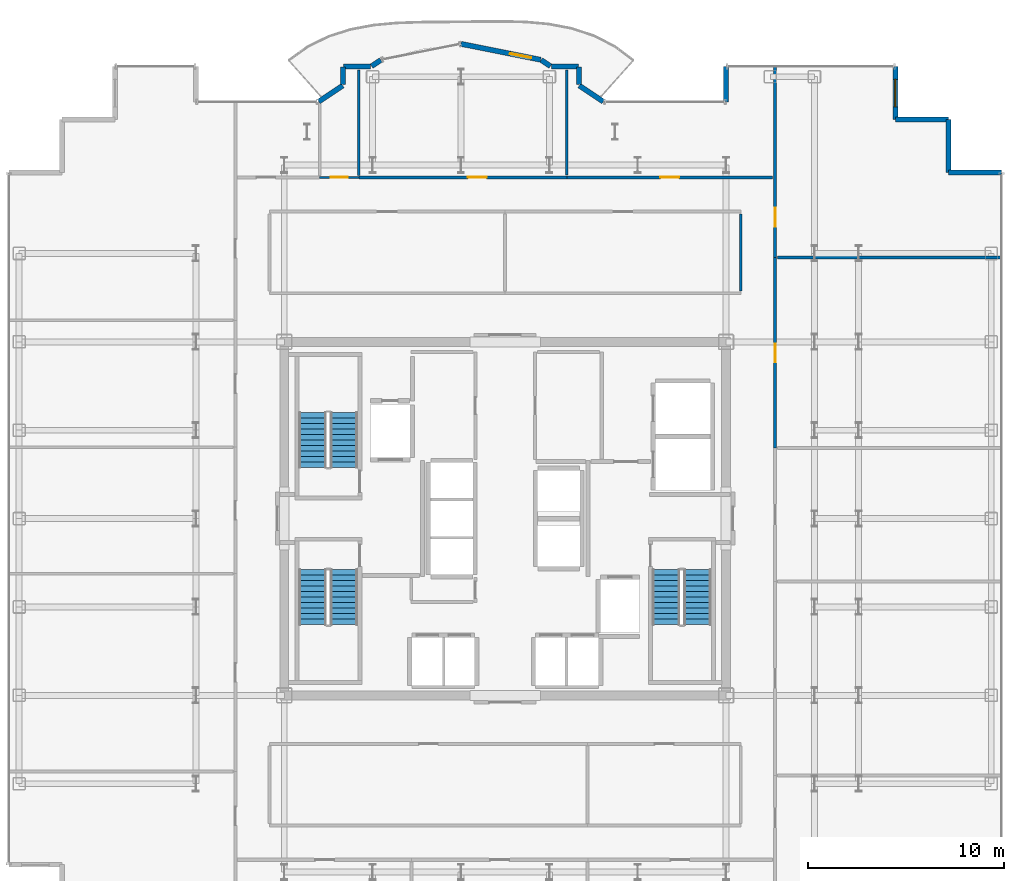
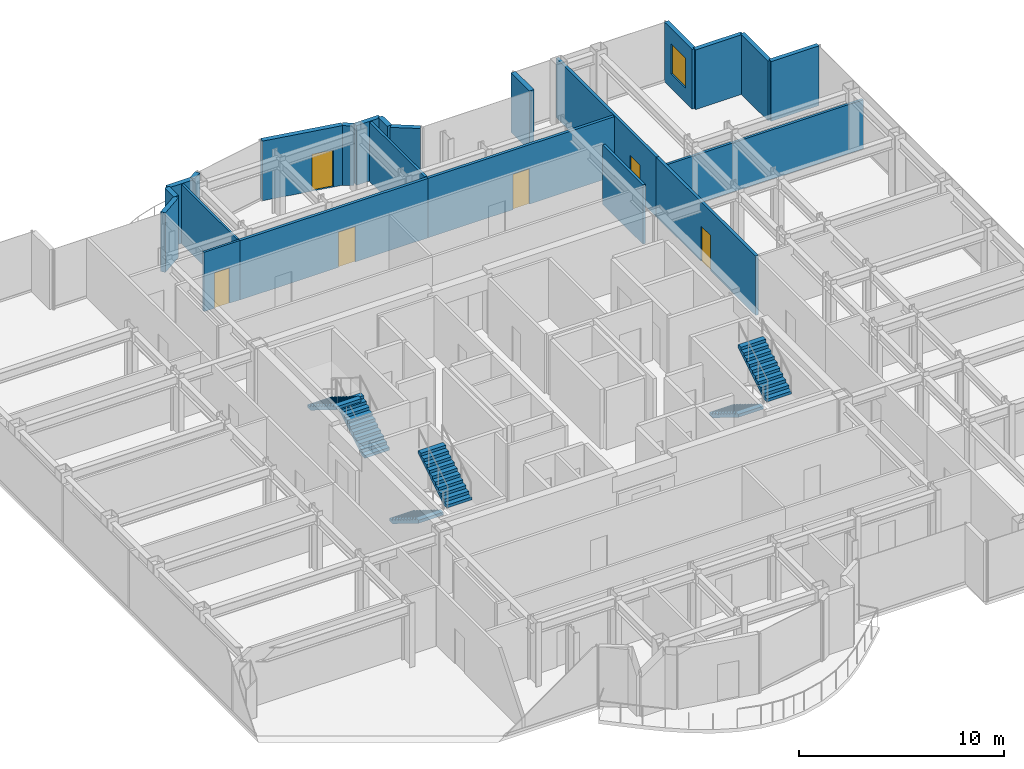
# One storey, part 18 of 20: 23 walls, 6 doors, 6 stair flights, 1 window, 7 openings, 3 elements without a shape of their own.
"""IFC4 building model written with IfcOpenShell, lengths in metres."""

from ifc_helpers import new_model, si_unit, direction, frame, frame_2d, origin, place, context, subcontext, project, spatial, polyline, rectangle, outline, extrude, source, transform, mapped, material, layer, layer_set, type_object, element, fill, aggregate, save


model = new_model("IFC4")

# Units and contexts
model_context = context("Model", 3, precision=1e-05, world=origin(), true_north=direction((0.0, 1.0)))
body_context = subcontext(model_context, "Body", "Model", "MODEL_VIEW")
ifc_project = project(units=[si_unit("LENGTHUNIT", "METRE"), si_unit("AREAUNIT", "SQUARE_METRE"), si_unit("VOLUMEUNIT", "CUBIC_METRE"), si_unit("PLANEANGLEUNIT", "RADIAN"), si_unit("MASSUNIT", "GRAM", prefix="KILO")], contexts=[model_context])

# Site, building, storey
site_placement = place(None, origin())
site = spatial("IfcSite", under=ifc_project, at=site_placement, CompositionType="ELEMENT")
building_placement = place(site_placement, origin())
building = spatial("IfcBuilding", under=site, at=building_placement, Name="Nefas-Gora Pilgrimage Tower", CompositionType="ELEMENT")
storey_placement = place(building_placement, frame((0.0, 0.0, 225.60009765625)))
storey = spatial("IfcBuildingStorey", under=building, at=storey_placement, Name="L56", CompositionType="ELEMENT", Elevation=225.60009765625)

# Walls
ifc_material_1 = material(Name="Precast concrete C40/50", Category="concrete")
ifc_layer_1 = layer(ifc_material_1, 0.260009765625)
ifc_layer_set_1 = layer_set([ifc_layer_1], Name="Precast concrete C40/50")
wall_type_1 = type_object("IfcWallType", Name="EW-PORTAL-260", PredefinedType="SOLIDWALL", material=ifc_layer_set_1)
shared_shape_1 = source(origin(), body_context, "Body", "SweptSolid", [
    extrude(rectangle(XDim=1.800048828125, YDim=0.260009765625, at=frame_2d((0.89990234375, 0.0))), origin(), (0.0, 0.0, 1.0), 3.5498046875),
])
wall_1_placement = place(storey_placement, frame((11.25, 23.02001953125, 0.0), z_axis=(0.0, 0.0, 1.0), x_axis=(0.0, -1.0, 0.0)))
element("IfcWall", 1, at=wall_1_placement, inside=storey, type_object=wall_type_1, Name="L56 Lobe Shoulder Precast Spandrel Pier 10", PredefinedType="SOLIDWALL", context=body_context, shape_type="MappedRepresentation", body=[
    mapped(shared_shape_1, transform((0.0, 0.0, 0.0), x_axis=(1.0, 0.0, 0.0), y_axis=(0.0, 1.0, 0.0), z_axis=(0.0, 0.0, 1.0), scale=1.0)),
])
ifc_material_2 = material(Name="Precast concrete C45/55", Category="concrete")
ifc_layer_2 = layer(ifc_material_2, 0.239990234375)
ifc_layer_set_2 = layer_set([ifc_layer_2], Name="Precast concrete C45/55")
wall_type_2 = type_object("IfcWallType", Name="EW-SERR-240", PredefinedType="SHEAR", material=ifc_layer_set_2)
shared_shape_2 = source(origin(), body_context, "Body", "SweptSolid", [
    extrude(rectangle(XDim=2.699951171875, YDim=0.239990234375, at=frame_2d((1.35009765625, 0.0))), origin(), (0.0, 0.0, 1.0), 3.5498046875),
])
for number, where, z_axis, x_axis, name in (
    (2, (25.27001953125, 17.6201171875, 0.0), (0.0, 0.0, 1.0), (-1.0, 0.0, 0.0), "L56 Serrated Corner Shear Pier Wall 6"),
    (3, (22.570068359375, 17.6201171875, 0.0), (0.0, 0.0, 1.0), (0.0, 1.0, 0.0), "L56 Serrated Corner Shear Pier Wall 7"),
    (4, (22.570068359375, 20.320068359375, 0.0), (0.0, 0.0, 1.0), (-1.0, 0.0, 0.0), "L56 Serrated Corner Shear Pier Wall 8"),
):
    element("IfcWall", number, at=place(storey_placement, frame(where, z_axis=z_axis, x_axis=x_axis)), inside=storey, type_object=wall_type_2, Name=name, PredefinedType="SHEAR", context=body_context, shape_type="MappedRepresentation", body=[
        mapped(shared_shape_2, transform((0.0, 0.0, 0.0), x_axis=(1.0, 0.0, 0.0), y_axis=(0.0, 1.0, 0.0), z_axis=(0.0, 0.0, 1.0), scale=1.0)),
    ])

# Wall, opening, window
wall_2_placement = place(storey_placement, frame((19.8701171875, 20.320068359375, 0.0), z_axis=(0.0, 0.0, 1.0), x_axis=(0.0, 1.0, 0.0)))
wall_2 = element("IfcWall", 5, at=wall_2_placement, inside=storey, type_object=wall_type_2, Name="L56 Serrated Corner Shear Pier Wall 9", PredefinedType="SHEAR", context=body_context, shape_type="MappedRepresentation", body=[
    mapped(shared_shape_2, transform((0.0, 0.0, 0.0), x_axis=(1.0, 0.0, 0.0), y_axis=(0.0, 1.0, 0.0), z_axis=(0.0, 0.0, 1.0), scale=1.0)),
])
opening_1_placement = place(wall_2_placement, frame((0.64990234375, 0.0, 0.85009765625)))
opening_1 = element("IfcOpeningElement", 6, at=opening_1_placement, cuts=wall_2, Name="Opening W-V2", PredefinedType="OPENING", context=body_context, shape_type="SweptSolid", body=[
    extrude(rectangle(XDim=1.39990234375, YDim=1.800048828125, at=frame_2d((0.699951171875, 0.89990234375))), frame((0.0, 0.1298828125, 0.0), z_axis=(0.0, -1.0, 0.0), x_axis=(1.0, 0.0, 0.0)), (0.0, 0.0, 1.0), 0.260009765625),
])
ifc_material_3 = material(Name="Dark ceramic-fritted operable aluminium-glass window", Category="aluminium")
window_type = type_object("IfcWindowType", Name="WIN-VENT-1400x1800", PartitioningType="SINGLE_PANEL", PredefinedType="WINDOW", material=ifc_material_3)
shared_shape_3 = source(origin(), body_context, "Body", "SweptSolid", [
    extrude(rectangle(XDim=1.39990234375, YDim=1.800048828125, at=frame_2d((0.699951171875, 0.89990234375))), frame((0.0, 0.030029296875, 0.0), z_axis=(0.0, -1.0, 0.0), x_axis=(1.0, 0.0, 0.0)), (0.0, 0.0, 1.0), 0.06005859375),
])
window_placement = place(opening_1_placement, origin())
window = element("IfcWindow", 7, at=window_placement, inside=storey, type_object=window_type, Name="L56 Operable Parallel-Outswing Window 9", OverallHeight=1.800048828125, OverallWidth=1.39990234375, PartitioningType="SINGLE_PANEL", PredefinedType="WINDOW", context=body_context, shape_type="MappedRepresentation", body=[
    mapped(shared_shape_3, transform((0.0, 0.0, 0.0), x_axis=(1.0, 0.0, 0.0), y_axis=(0.0, 1.0, 0.0), z_axis=(0.0, 0.0, 1.0), scale=1.0)),
])
fill(opening_1, window)

# Walls
shared_shape_4 = source(origin(), body_context, "Body", "SweptSolid", [
    extrude(rectangle(XDim=1.468994140625, YDim=0.260009765625, at=frame_2d((0.734375, 0.0))), origin(), (0.0, 0.0, 1.0), 3.5498046875),
])
for number, where, z_axis, x_axis, name in (
    (8, (4.99462890625, 21.235595703125, 0.0), (0.0, 0.0, 1.0), (-0.831461760506, 0.555581983884, 0.0), "L56 Lobe Shoulder Precast Spandrel Pier 11"),
    (9, (-8.273193359375, 22.0517578125, 0.0), (0.0, 0.0, 1.0), (-0.831461760506, -0.555581983884, 0.0), "L56 Lobe Shoulder Precast Spandrel Pier 19"),
):
    element("IfcWall", number, at=place(storey_placement, frame(where, z_axis=z_axis, x_axis=x_axis)), inside=storey, type_object=wall_type_1, Name=name, PredefinedType="SOLIDWALL", context=body_context, shape_type="MappedRepresentation", body=[
        mapped(shared_shape_4, transform((0.0, 0.0, 0.0), x_axis=(1.0, 0.0, 0.0), y_axis=(0.0, 1.0, 0.0), z_axis=(0.0, 0.0, 1.0), scale=1.0)),
    ])
shared_shape_5 = source(origin(), body_context, "Body", "SweptSolid", [
    extrude(rectangle(XDim=0.896728515625, YDim=0.260009765625, at=frame_2d((0.4482421875, 0.0))), origin(), (0.0, 0.0, 1.0), 3.5498046875),
])
for number, where, z_axis, x_axis, name in (
    (10, (3.75, 22.09521484375, 0.0), (0.0, 0.0, 1.0), (0.0, 1.0, 0.0), "L56 Lobe Shoulder Precast Spandrel Pier 12"),
    (11, (-8.25, 22.991943359375, 0.0), (0.0, 0.0, 1.0), (0.0, -1.0, 0.0), "L56 Lobe Shoulder Precast Spandrel Pier 18"),
):
    element("IfcWall", number, at=place(storey_placement, frame(where, z_axis=z_axis, x_axis=x_axis)), inside=storey, type_object=wall_type_1, Name=name, PredefinedType="SOLIDWALL", context=body_context, shape_type="MappedRepresentation", body=[
        mapped(shared_shape_5, transform((0.0, 0.0, 0.0), x_axis=(1.0, 0.0, 0.0), y_axis=(0.0, 1.0, 0.0), z_axis=(0.0, 0.0, 1.0), scale=1.0)),
    ])
shared_shape_6 = source(origin(), body_context, "Body", "SweptSolid", [
    extrude(rectangle(XDim=1.369873046875, YDim=0.260009765625, at=frame_2d((0.68505859375, 0.0))), origin(), (0.0, 0.0, 1.0), 3.5498046875),
])
for number, where, z_axis, x_axis, name in (
    (12, (3.721923828125, 23.02001953125, 0.0), (0.0, 0.0, 1.0), (-1.0, 0.0, 0.0), "L56 Lobe Shoulder Precast Spandrel Pier 13"),
    (13, (-6.85205078125, 23.02001953125, 0.0), (0.0, 0.0, 1.0), (-1.0, 0.0, 0.0), "L56 Lobe Shoulder Precast Spandrel Pier 17"),
):
    element("IfcWall", number, at=place(storey_placement, frame(where, z_axis=z_axis, x_axis=x_axis)), inside=storey, type_object=wall_type_1, Name=name, PredefinedType="SOLIDWALL", context=body_context, shape_type="MappedRepresentation", body=[
        mapped(shared_shape_6, transform((0.0, 0.0, 0.0), x_axis=(1.0, 0.0, 0.0), y_axis=(0.0, 1.0, 0.0), z_axis=(0.0, 0.0, 1.0), scale=1.0)),
    ])
shared_shape_7 = source(origin(), body_context, "Body", "SweptSolid", [
    extrude(rectangle(XDim=0.5654296875, YDim=0.260009765625, at=frame_2d((0.28271484375, 0.0))), origin(), (0.0, 0.0, 1.0), 3.5498046875),
])
for number, where, z_axis, x_axis, name in (
    (14, (2.30078125, 23.03564453125, 0.0), (0.0, 0.0, 1.0), (-0.831651492666, 0.555297933317, 0.0), "L56 Lobe Shoulder Precast Spandrel Pier 14"),
    (15, (-6.33056640625, 23.349609375, 0.0), (0.0, 0.0, 1.0), (-0.831651492666, -0.555297933317, 0.0), "L56 Lobe Shoulder Precast Spandrel Pier 16"),
):
    element("IfcWall", number, at=place(storey_placement, frame(where, z_axis=z_axis, x_axis=x_axis)), inside=storey, type_object=wall_type_1, Name=name, PredefinedType="SOLIDWALL", context=body_context, shape_type="MappedRepresentation", body=[
        mapped(shared_shape_7, transform((0.0, 0.0, 0.0), x_axis=(1.0, 0.0, 0.0), y_axis=(0.0, 1.0, 0.0), z_axis=(0.0, 0.0, 1.0), scale=1.0)),
    ])

# Wall, opening, door
shared_shape_8 = source(origin(), body_context, "Body", "SweptSolid", [
    extrude(rectangle(XDim=4.136962890625, YDim=0.260009765625, at=frame_2d((2.068359375, 0.0))), origin(), (0.0, 0.0, 1.0), 3.5498046875),
])
wall_3_placement = place(storey_placement, frame((1.807373046875, 23.365234375, 0.0), z_axis=(0.0, 0.0, 1.0), x_axis=(-0.980782170794, 0.195105954428, 0.0)))
wall_3 = element("IfcWall", 16, at=wall_3_placement, inside=storey, type_object=wall_type_1, Name="L56 Insulated Terrace Portal Wall 15", PredefinedType="SOLIDWALL", context=body_context, shape_type="MappedRepresentation", body=[
    mapped(shared_shape_8, transform((0.0, 0.0, 0.0), x_axis=(1.0, 0.0, 0.0), y_axis=(0.0, 1.0, 0.0), z_axis=(0.0, 0.0, 1.0), scale=1.0)),
])
opening_2_placement = place(wall_3_placement, frame((0.48779296875, 0.0, 0.0)))
opening_2 = element("IfcOpeningElement", 17, at=opening_2_placement, cuts=wall_3, Name="Opening ED-B1", PredefinedType="OPENING", context=body_context, shape_type="SweptSolid", body=[
    extrude(rectangle(XDim=1.10009765625, YDim=2.199951171875, at=frame_2d((0.550048828125, 1.10009765625))), frame((0.0, 0.139892578125, 0.0), z_axis=(0.0, -1.0, 0.0), x_axis=(1.0, 0.0, 0.0)), (0.0, 0.0, 1.0), 0.280029296875),
])
ifc_material_4 = material(Name="Thermally broken glazed aluminium balcony door", Category="aluminium")
door_type_1 = type_object("IfcDoorType", Name="DR-EXT-BAL-1100", OperationType="NOTDEFINED", PredefinedType="DOOR", material=ifc_material_4)
shared_shape_9 = source(origin(), body_context, "Body", "SweptSolid", [
    extrude(rectangle(XDim=1.10009765625, YDim=2.199951171875, at=frame_2d((0.550048828125, 1.10009765625))), frame((0.0, 0.02490234375, 0.0), z_axis=(0.0, -1.0, 0.0), x_axis=(1.0, 0.0, 0.0)), (0.0, 0.0, 1.0), 0.050048828125),
])
door_1_placement = place(opening_2_placement, origin())
door_1 = element("IfcDoor", 18, at=door_1_placement, inside=storey, type_object=door_type_1, Name="L56 Exterior Door (L56 N Lobe Wave Balcony)", OperationType="SINGLE_SWING_RIGHT", OverallHeight=2.199951171875, OverallWidth=1.10009765625, PredefinedType="DOOR", context=body_context, shape_type="MappedRepresentation", body=[
    mapped(shared_shape_9, transform((0.0, 0.0, 0.0), x_axis=(1.0, 0.0, 0.0), y_axis=(0.0, 1.0, 0.0), z_axis=(0.0, 0.0, 1.0), scale=1.0)),
])
fill(opening_2, door_1)

ifc_material_5 = material(Name="Moisture-resistant fire-rated gypsum partition")
ifc_layer_3 = layer(ifc_material_5, 0.1201171875)
ifc_layer_set_3 = layer_set([ifc_layer_3], Name="Moisture-resistant fire-rated gypsum partition")
wall_type_3 = type_object("IfcWallType", Name="IW-WET-120", PredefinedType="PLUMBINGWALL", material=ifc_layer_set_3)
shared_shape_10 = source(origin(), body_context, "Body", "SweptSolid", [
    extrude(rectangle(XDim=2.02001953125, YDim=0.1201171875, at=frame_2d((1.010009765625, 0.0))), origin(), (0.0, 0.0, 1.0), 3.534912109375),
])
wall_4_placement = place(storey_placement, frame((-9.4599609375, 17.3701171875, 0.0), z_axis=(0.0, 0.0, 1.0), x_axis=(1.0, 0.0, 0.0)))
wall_4 = element("IfcWall", 19, at=wall_4_placement, inside=storey, type_object=wall_type_3, Name="L56 Accessible Unisex WC Partition Wall 25", PredefinedType="PLUMBINGWALL", context=body_context, shape_type="MappedRepresentation", body=[
    mapped(shared_shape_10, transform((0.0, 0.0, 0.0), x_axis=(1.0, 0.0, 0.0), y_axis=(0.0, 1.0, 0.0), z_axis=(0.0, 0.0, 1.0), scale=1.0)),
])
opening_3_placement = place(wall_4_placement, frame((0.5849609375, 0.0, 0.0)))
opening_3 = element("IfcOpeningElement", 20, at=opening_3_placement, cuts=wall_4, Name="Opening ID-BT1", PredefinedType="OPENING", context=body_context, shape_type="SweptSolid", body=[
    extrude(rectangle(XDim=0.85009765625, YDim=2.10009765625, at=frame_2d((0.425048828125, 1.050048828125))), frame((0.0, 0.070068359375, 0.0), z_axis=(0.0, -1.0, 0.0), x_axis=(1.0, 0.0, 0.0)), (0.0, 0.0, 1.0), 0.14013671875),
])
ifc_material_6 = material(Name="Moisture-resistant fire-rated timber door", Category="wood")
door_type_2 = type_object("IfcDoorType", Name="DR-INT-BATH-850", OperationType="NOTDEFINED", PredefinedType="DOOR", material=ifc_material_6)
shared_shape_11 = source(origin(), body_context, "Body", "SweptSolid", [
    extrude(rectangle(XDim=0.85009765625, YDim=2.10009765625, at=frame_2d((0.425048828125, 1.050048828125))), frame((0.0, 0.02490234375, 0.0), z_axis=(0.0, -1.0, 0.0), x_axis=(1.0, 0.0, 0.0)), (0.0, 0.0, 1.0), 0.050048828125),
])
door_2_placement = place(opening_3_placement, origin())
door_2 = element("IfcDoor", 21, at=door_2_placement, inside=storey, type_object=door_type_2, Name="L56 Accessible Unisex WC Door 10", OperationType="SINGLE_SWING_RIGHT", OverallHeight=2.10009765625, OverallWidth=0.85009765625, PredefinedType="DOOR", context=body_context, shape_type="MappedRepresentation", body=[
    mapped(shared_shape_11, transform((0.0, 0.0, 0.0), x_axis=(1.0, 0.0, 0.0), y_axis=(0.0, 1.0, 0.0), z_axis=(0.0, 0.0, 1.0), scale=1.0)),
])
fill(opening_3, door_2)

# Walls
shared_shape_12 = source(origin(), body_context, "Body", "SweptSolid", [
    extrude(rectangle(XDim=5.380126953125, YDim=0.1201171875, at=frame_2d((2.68994140625, 0.0))), origin(), (0.0, 0.0, 1.0), 3.534912109375),
])
wall_5_placement = place(storey_placement, frame((-7.449951171875, 17.469970703125, 0.0), z_axis=(0.0, 0.0, 1.0), x_axis=(0.0, 1.0, 0.0)))
element("IfcWall", 22, at=wall_5_placement, inside=storey, type_object=wall_type_3, Name="L56 Accessible Unisex WC Partition Wall 26", PredefinedType="PLUMBINGWALL", context=body_context, shape_type="MappedRepresentation", body=[
    mapped(shared_shape_12, transform((0.0, 0.0, 0.0), x_axis=(1.0, 0.0, 0.0), y_axis=(0.0, 1.0, 0.0), z_axis=(0.0, 0.0, 1.0), scale=1.0)),
])
ifc_material_7 = material(Name="Gypsum twin-stud partition")
ifc_layer_4 = layer(ifc_material_7, 0.139892578125)
ifc_layer_set_4 = layer_set([ifc_layer_4], Name="Gypsum twin-stud partition")
wall_type_4 = type_object("IfcWallType", Name="IW-UNIT-140", PredefinedType="PARTITIONING", material=ifc_layer_set_4)
shared_shape_13 = source(origin(), body_context, "Body", "SweptSolid", [
    extrude(rectangle(XDim=3.929931640625, YDim=0.139892578125, at=frame_2d((1.96484375, 0.0))), origin(), (0.0, 0.0, 1.0), 3.534912109375),
])
wall_6_placement = place(storey_placement, frame((12.0, 11.580078125, 0.0), z_axis=(0.0, 0.0, 1.0), x_axis=(0.0, 1.0, 0.0)))
element("IfcWall", 23, at=wall_6_placement, inside=storey, type_object=wall_type_4, Name="L56 Pilgrim Contemplative Lounge Partition Wall 55", PredefinedType="PARTITIONING", context=body_context, shape_type="MappedRepresentation", body=[
    mapped(shared_shape_13, transform((0.0, 0.0, 0.0), x_axis=(1.0, 0.0, 0.0), y_axis=(0.0, 1.0, 0.0), z_axis=(0.0, 0.0, 1.0), scale=1.0)),
])
shared_shape_14 = source(origin(), body_context, "Body", "SweptSolid", [
    extrude(rectangle(XDim=11.429931640625, YDim=0.139892578125, at=frame_2d((5.71484375, 0.0))), origin(), (0.0, 0.0, 1.0), 2.9248046875),
])
wall_7_placement = place(storey_placement, frame((13.860107421875, 13.297607421875, 0.0), z_axis=(0.0, 0.0, 1.0), x_axis=(1.0, 0.0, 0.0)))
element("IfcWall", 24, at=wall_7_placement, inside=storey, type_object=wall_type_4, Name="L56 Pilgrim Contemplative Lounge Partition Wall 44", PredefinedType="PARTITIONING", context=body_context, shape_type="MappedRepresentation", body=[
    mapped(shared_shape_14, transform((0.0, 0.0, 0.0), x_axis=(1.0, 0.0, 0.0), y_axis=(0.0, 1.0, 0.0), z_axis=(0.0, 0.0, 1.0), scale=1.0)),
])

# Wall, opening, door
ifc_material_8 = material(Name="Gypsum acoustic stud partition")
ifc_layer_5 = layer(ifc_material_8, 0.159912109375)
ifc_layer_set_5 = layer_set([ifc_layer_5], Name="Gypsum acoustic stud partition")
wall_type_5 = type_object("IfcWallType", Name="IW-CORR-160", PredefinedType="PARTITIONING", material=ifc_layer_set_5)
shared_shape_15 = source(origin(), body_context, "Body", "SweptSolid", [
    extrude(rectangle(XDim=9.75244140625, YDim=0.159912109375, at=frame_2d((4.876220703125, 0.0))), origin(), (0.0, 0.0, 1.0), 3.534912109375),
])
wall_8_placement = place(storey_placement, frame((13.739990234375, 13.28759765625, 0.0), z_axis=(0.0, 0.0, 1.0), x_axis=(0.0, 1.0, 0.0)))
wall_8 = element("IfcWall", 25, at=wall_8_placement, inside=storey, type_object=wall_type_5, Name="L56 Pilgrim Contemplative Lounge Partition Wall 43", PredefinedType="PARTITIONING", context=body_context, shape_type="MappedRepresentation", body=[
    mapped(shared_shape_15, transform((0.0, 0.0, 0.0), x_axis=(1.0, 0.0, 0.0), y_axis=(0.0, 1.0, 0.0), z_axis=(0.0, 0.0, 1.0), scale=1.0)),
])
opening_4_placement = place(wall_8_placement, frame((1.586181640625, 0.0, 0.0)))
opening_4 = element("IfcOpeningElement", 26, at=opening_4_placement, cuts=wall_8, Name="Opening ID-GR1", PredefinedType="OPENING", context=body_context, shape_type="SweptSolid", body=[
    extrude(rectangle(XDim=0.949951171875, YDim=2.10009765625, at=frame_2d((0.47509765625, 1.050048828125))), frame((0.0, 0.08984375, 0.0), z_axis=(0.0, -1.0, 0.0), x_axis=(1.0, 0.0, 0.0)), (0.0, 0.0, 1.0), 0.179931640625),
])
ifc_material_9 = material(Name="Solid core oak fire-rated guest entrance door")
door_type_3 = type_object("IfcDoorType", Name="DR-INT-GUEST-950", OperationType="NOTDEFINED", PredefinedType="DOOR", material=ifc_material_9)
shared_shape_16 = source(origin(), body_context, "Body", "SweptSolid", [
    extrude(rectangle(XDim=0.949951171875, YDim=2.10009765625, at=frame_2d((0.47509765625, 1.050048828125))), frame((0.0, 0.02490234375, 0.0), z_axis=(0.0, -1.0, 0.0), x_axis=(1.0, 0.0, 0.0)), (0.0, 0.0, 1.0), 0.050048828125),
])
door_3_placement = place(opening_4_placement, origin())
door_3 = element("IfcDoor", 27, at=door_3_placement, inside=storey, type_object=door_type_3, Name="L56 Pilgrim Contemplative Lounge Door 19", OperationType="SINGLE_SWING_LEFT", OverallHeight=2.10009765625, OverallWidth=0.949951171875, PredefinedType="DOOR", context=body_context, shape_type="MappedRepresentation", body=[
    mapped(shared_shape_16, transform((0.0, 0.0, 0.0), x_axis=(1.0, 0.0, 0.0), y_axis=(0.0, 1.0, 0.0), z_axis=(0.0, 0.0, 1.0), scale=1.0)),
])
fill(opening_4, door_3)

shared_shape_17 = source(origin(), body_context, "Body", "SweptSolid", [
    extrude(rectangle(XDim=9.692626953125, YDim=0.159912109375, at=frame_2d((4.84619140625, 0.0))), origin(), (0.0, 0.0, 1.0), 3.534912109375),
])
wall_9_placement = place(storey_placement, frame((13.739990234375, 3.594970703125, 0.0), z_axis=(0.0, 0.0, 1.0), x_axis=(0.0, 1.0, 0.0)))
wall_9 = element("IfcWall", 28, at=wall_9_placement, inside=storey, type_object=wall_type_5, Name="L56 Pilgrim Contemplative Lounge Partition Wall 45", PredefinedType="PARTITIONING", context=body_context, shape_type="MappedRepresentation", body=[
    mapped(shared_shape_17, transform((0.0, 0.0, 0.0), x_axis=(1.0, 0.0, 0.0), y_axis=(0.0, 1.0, 0.0), z_axis=(0.0, 0.0, 1.0), scale=1.0)),
])
opening_5_placement = place(wall_9_placement, frame((4.37109375, 0.0, 0.0)))
opening_5 = element("IfcOpeningElement", 29, at=opening_5_placement, cuts=wall_9, Name="Opening ID-GR1", PredefinedType="OPENING", context=body_context, shape_type="SweptSolid", body=[
    extrude(rectangle(XDim=0.949951171875, YDim=2.10009765625, at=frame_2d((0.47509765625, 1.050048828125))), frame((0.0, 0.08984375, 0.0), z_axis=(0.0, -1.0, 0.0), x_axis=(1.0, 0.0, 0.0)), (0.0, 0.0, 1.0), 0.179931640625),
])
door_4_placement = place(opening_5_placement, origin())
door_4 = element("IfcDoor", 30, at=door_4_placement, inside=storey, type_object=door_type_3, Name="L56 Pilgrim Contemplative Lounge Door 20", OperationType="SINGLE_SWING_RIGHT", OverallHeight=2.10009765625, OverallWidth=0.949951171875, PredefinedType="DOOR", context=body_context, shape_type="MappedRepresentation", body=[
    mapped(shared_shape_16, transform((0.0, 0.0, 0.0), x_axis=(1.0, 0.0, 0.0), y_axis=(0.0, 1.0, 0.0), z_axis=(0.0, 0.0, 1.0), scale=1.0)),
])
fill(opening_5, door_4)

shared_shape_18 = source(origin(), body_context, "Body", "SweptSolid", [
    extrude(rectangle(XDim=10.58251953125, YDim=0.159912109375, at=frame_2d((5.291259765625, 0.0))), origin(), (0.0, 0.0, 1.0), 3.534912109375),
])
wall_10_placement = place(storey_placement, frame((-7.43994140625, 17.3701171875, 0.0), z_axis=(0.0, 0.0, 1.0), x_axis=(1.0, 0.0, 0.0)))
wall_10 = element("IfcWall", 31, at=wall_10_placement, inside=storey, type_object=wall_type_5, Name="L56 Pilgrim Contemplative Lounge Partition Wall 46", PredefinedType="PARTITIONING", context=body_context, shape_type="MappedRepresentation", body=[
    mapped(shared_shape_18, transform((0.0, 0.0, 0.0), x_axis=(1.0, 0.0, 0.0), y_axis=(0.0, 1.0, 0.0), z_axis=(0.0, 0.0, 1.0), scale=1.0)),
])
opening_6_placement = place(wall_10_placement, frame((5.5419921875, 0.0, 0.0)))
opening_6 = element("IfcOpeningElement", 32, at=opening_6_placement, cuts=wall_10, Name="Opening ID-GR1", PredefinedType="OPENING", context=body_context, shape_type="SweptSolid", body=[
    extrude(rectangle(XDim=0.949951171875, YDim=2.10009765625, at=frame_2d((0.47509765625, 1.050048828125))), frame((0.0, 0.08984375, 0.0), z_axis=(0.0, -1.0, 0.0), x_axis=(1.0, 0.0, 0.0)), (0.0, 0.0, 1.0), 0.179931640625),
])
door_5_placement = place(opening_6_placement, origin())
door_5 = element("IfcDoor", 33, at=door_5_placement, inside=storey, type_object=door_type_3, Name="L56 Pilgrim Contemplative Lounge Door 21", OperationType="SINGLE_SWING_LEFT", OverallHeight=2.10009765625, OverallWidth=0.949951171875, PredefinedType="DOOR", context=body_context, shape_type="MappedRepresentation", body=[
    mapped(shared_shape_16, transform((0.0, 0.0, 0.0), x_axis=(1.0, 0.0, 0.0), y_axis=(0.0, 1.0, 0.0), z_axis=(0.0, 0.0, 1.0), scale=1.0)),
])
fill(opening_6, door_5)

# Wall
shared_shape_19 = source(origin(), body_context, "Body", "SweptSolid", [
    extrude(rectangle(XDim=5.360107421875, YDim=0.139892578125, at=frame_2d((2.68017578125, 0.0))), origin(), (0.0, 0.0, 1.0), 3.534912109375),
])
wall_11_placement = place(storey_placement, frame((3.132568359375, 17.489990234375, 0.0), z_axis=(0.0, 0.0, 1.0), x_axis=(0.0, 1.0, 0.0)))
element("IfcWall", 34, at=wall_11_placement, inside=storey, type_object=wall_type_4, Name="L56 Pilgrim Contemplative Lounge Partition Wall 47", PredefinedType="PARTITIONING", context=body_context, shape_type="MappedRepresentation", body=[
    mapped(shared_shape_19, transform((0.0, 0.0, 0.0), x_axis=(1.0, 0.0, 0.0), y_axis=(0.0, 1.0, 0.0), z_axis=(0.0, 0.0, 1.0), scale=1.0)),
])

# Wall, opening, door
shared_shape_20 = source(origin(), body_context, "Body", "SweptSolid", [
    extrude(rectangle(XDim=10.4775390625, YDim=0.159912109375, at=frame_2d((5.23876953125, 0.0))), origin(), (0.0, 0.0, 1.0), 3.534912109375),
])
wall_12_placement = place(storey_placement, frame((3.142578125, 17.3701171875, 0.0), z_axis=(0.0, 0.0, 1.0), x_axis=(1.0, 0.0, 0.0)))
wall_12 = element("IfcWall", 35, at=wall_12_placement, inside=storey, type_object=wall_type_5, Name="L56 Pilgrim Contemplative Lounge Partition Wall 48", PredefinedType="PARTITIONING", context=body_context, shape_type="MappedRepresentation", body=[
    mapped(shared_shape_20, transform((0.0, 0.0, 0.0), x_axis=(1.0, 0.0, 0.0), y_axis=(0.0, 1.0, 0.0), z_axis=(0.0, 0.0, 1.0), scale=1.0)),
])
opening_7_placement = place(wall_12_placement, frame((4.763671875, 0.0, 0.0)))
opening_7 = element("IfcOpeningElement", 36, at=opening_7_placement, cuts=wall_12, Name="Opening ID-GR1", PredefinedType="OPENING", context=body_context, shape_type="SweptSolid", body=[
    extrude(rectangle(XDim=0.949951171875, YDim=2.10009765625, at=frame_2d((0.47509765625, 1.050048828125))), frame((0.0, 0.08984375, 0.0), z_axis=(0.0, -1.0, 0.0), x_axis=(1.0, 0.0, 0.0)), (0.0, 0.0, 1.0), 0.179931640625),
])
door_6_placement = place(opening_7_placement, origin())
door_6 = element("IfcDoor", 37, at=door_6_placement, inside=storey, type_object=door_type_3, Name="L56 Pilgrim Contemplative Lounge Door 22", OperationType="SINGLE_SWING_RIGHT", OverallHeight=2.10009765625, OverallWidth=0.949951171875, PredefinedType="DOOR", context=body_context, shape_type="MappedRepresentation", body=[
    mapped(shared_shape_16, transform((0.0, 0.0, 0.0), x_axis=(1.0, 0.0, 0.0), y_axis=(0.0, 1.0, 0.0), z_axis=(0.0, 0.0, 1.0), scale=1.0)),
])
fill(opening_7, door_6)

# Stair, stair flights
ifc_material_10 = material(Name="Concrete C45/55", Category="concrete")
stair_type = type_object("IfcStairType", Name="STR-1400-R1727", PredefinedType="HALF_TURN_STAIR", material=ifc_material_10)
stair_1_placement = place(storey_placement, origin())
stair_1 = element("IfcStair", 38, at=stair_1_placement, inside=storey, type_object=stair_type, Name="L56 Pressurised Tower Exit Stair ST-01", PredefinedType="HALF_TURN_STAIR")
stair_flight_type = type_object("IfcStairFlightType", Name="STF-1400-R1727", PredefinedType="STRAIGHT", material=ifc_material_10)
shared_shape_21 = source(origin(), body_context, "Body", "SweptSolid", [
    extrude(outline(polyline([(0.0, 0.0), (0.0, 0.172607421875), (0.280029296875, 0.172607421875), (0.280029296875, 0.345458984375), (0.56005859375, 0.345458984375), (0.56005859375, 0.51806640625), (0.840087890625, 0.51806640625), (0.840087890625, 0.69091796875), (1.1201171875, 0.69091796875), (1.1201171875, 0.863525390625), (1.39990234375, 0.863525390625), (1.39990234375, 1.036376953125), (1.679931640625, 1.036376953125), (1.679931640625, 1.208984375), (1.9599609375, 1.208984375), (1.9599609375, 1.3818359375), (2.239990234375, 1.3818359375), (2.239990234375, 1.554443359375), (2.52001953125, 1.554443359375), (2.52001953125, 1.727294921875), (2.800048828125, 1.727294921875), (2.800048828125, 1.89990234375), (2.800048828125, 1.551025390625), (0.285400390625, 0.0), (0.0, 0.0)])), frame((0.0, 0.699951171875, 0.0), z_axis=(0.0, -1.0, 0.0), x_axis=(1.0, 0.0, 0.0)), (0.0, 0.0, 1.0), 1.39990234375),
])
stair_flight_1_placement = place(storey_placement, frame((-8.199951171875, 2.60009765625, 0.0), z_axis=(0.0, 0.0, 1.0), x_axis=(0.0, 1.0, 0.0)))
stair_flight_1 = element("IfcStairFlight", 39, at=stair_flight_1_placement, type_object=stair_flight_type, Name="ST-01 flight 1", NumberOfRisers=11, NumberOfTreads=10, PredefinedType="STRAIGHT", RiserHeight=0.172727273, TreadLength=0.28, context=body_context, shape_type="MappedRepresentation", body=[
    mapped(shared_shape_21, transform((0.0, 0.0, 0.0), x_axis=(1.0, 0.0, 0.0), y_axis=(0.0, 1.0, 0.0), z_axis=(0.0, 0.0, 1.0), scale=1.0)),
])
stair_flight_2_placement = place(storey_placement, frame((-9.800048828125, 5.39990234375, 1.89990234375), z_axis=(0.0, 0.0, 1.0), x_axis=(0.0, -1.0, 0.0)))
stair_flight_2 = element("IfcStairFlight", 40, at=stair_flight_2_placement, type_object=stair_flight_type, Name="ST-01 flight 2", NumberOfRisers=11, NumberOfTreads=10, PredefinedType="STRAIGHT", RiserHeight=0.172727273, TreadLength=0.28, context=body_context, shape_type="MappedRepresentation", body=[
    mapped(shared_shape_21, transform((0.0, 0.0, 0.0), x_axis=(1.0, 0.0, 0.0), y_axis=(0.0, 1.0, 0.0), z_axis=(0.0, 0.0, 1.0), scale=1.0)),
])
aggregate(stair_1, [stair_flight_1, stair_flight_2])

stair_2_placement = place(storey_placement, origin())
stair_2 = element("IfcStair", 41, at=stair_2_placement, inside=storey, type_object=stair_type, Name="L56 Pressurised Tower Exit Stair ST-02", PredefinedType="HALF_TURN_STAIR")
stair_flight_3_placement = place(storey_placement, frame((8.199951171875, -2.60009765625, 0.0), z_axis=(0.0, 0.0, 1.0), x_axis=(0.0, -1.0, 0.0)))
stair_flight_3 = element("IfcStairFlight", 42, at=stair_flight_3_placement, type_object=stair_flight_type, Name="ST-02 flight 1", NumberOfRisers=11, NumberOfTreads=10, PredefinedType="STRAIGHT", RiserHeight=0.172727273, TreadLength=0.28, context=body_context, shape_type="MappedRepresentation", body=[
    mapped(shared_shape_21, transform((0.0, 0.0, 0.0), x_axis=(1.0, 0.0, 0.0), y_axis=(0.0, 1.0, 0.0), z_axis=(0.0, 0.0, 1.0), scale=1.0)),
])
stair_flight_4_placement = place(storey_placement, frame((9.800048828125, -5.39990234375, 1.89990234375), z_axis=(0.0, 0.0, 1.0), x_axis=(0.0, 1.0, 0.0)))
stair_flight_4 = element("IfcStairFlight", 43, at=stair_flight_4_placement, type_object=stair_flight_type, Name="ST-02 flight 2", NumberOfRisers=11, NumberOfTreads=10, PredefinedType="STRAIGHT", RiserHeight=0.172727273, TreadLength=0.28, context=body_context, shape_type="MappedRepresentation", body=[
    mapped(shared_shape_21, transform((0.0, 0.0, 0.0), x_axis=(1.0, 0.0, 0.0), y_axis=(0.0, 1.0, 0.0), z_axis=(0.0, 0.0, 1.0), scale=1.0)),
])
aggregate(stair_2, [stair_flight_3, stair_flight_4])

stair_3_placement = place(storey_placement, origin())
stair_3 = element("IfcStair", 44, at=stair_3_placement, inside=storey, type_object=stair_type, Name="L56 Pressurised Tower Exit Stair ST-03", PredefinedType="HALF_TURN_STAIR")
stair_flight_5_placement = place(storey_placement, frame((-9.800048828125, -2.60009765625, 0.0), z_axis=(0.0, 0.0, 1.0), x_axis=(0.0, -1.0, 0.0)))
stair_flight_5 = element("IfcStairFlight", 45, at=stair_flight_5_placement, type_object=stair_flight_type, Name="ST-03 flight 1", NumberOfRisers=11, NumberOfTreads=10, PredefinedType="STRAIGHT", RiserHeight=0.172727273, TreadLength=0.28, context=body_context, shape_type="MappedRepresentation", body=[
    mapped(shared_shape_21, transform((0.0, 0.0, 0.0), x_axis=(1.0, 0.0, 0.0), y_axis=(0.0, 1.0, 0.0), z_axis=(0.0, 0.0, 1.0), scale=1.0)),
])
stair_flight_6_placement = place(storey_placement, frame((-8.199951171875, -5.39990234375, 1.89990234375), z_axis=(0.0, 0.0, 1.0), x_axis=(0.0, 1.0, 0.0)))
stair_flight_6 = element("IfcStairFlight", 46, at=stair_flight_6_placement, type_object=stair_flight_type, Name="ST-03 flight 2", NumberOfRisers=11, NumberOfTreads=10, PredefinedType="STRAIGHT", RiserHeight=0.172727273, TreadLength=0.28, context=body_context, shape_type="MappedRepresentation", body=[
    mapped(shared_shape_21, transform((0.0, 0.0, 0.0), x_axis=(1.0, 0.0, 0.0), y_axis=(0.0, 1.0, 0.0), z_axis=(0.0, 0.0, 1.0), scale=1.0)),
])
aggregate(stair_3, [stair_flight_5, stair_flight_6])

save(model, "model.ifc")
